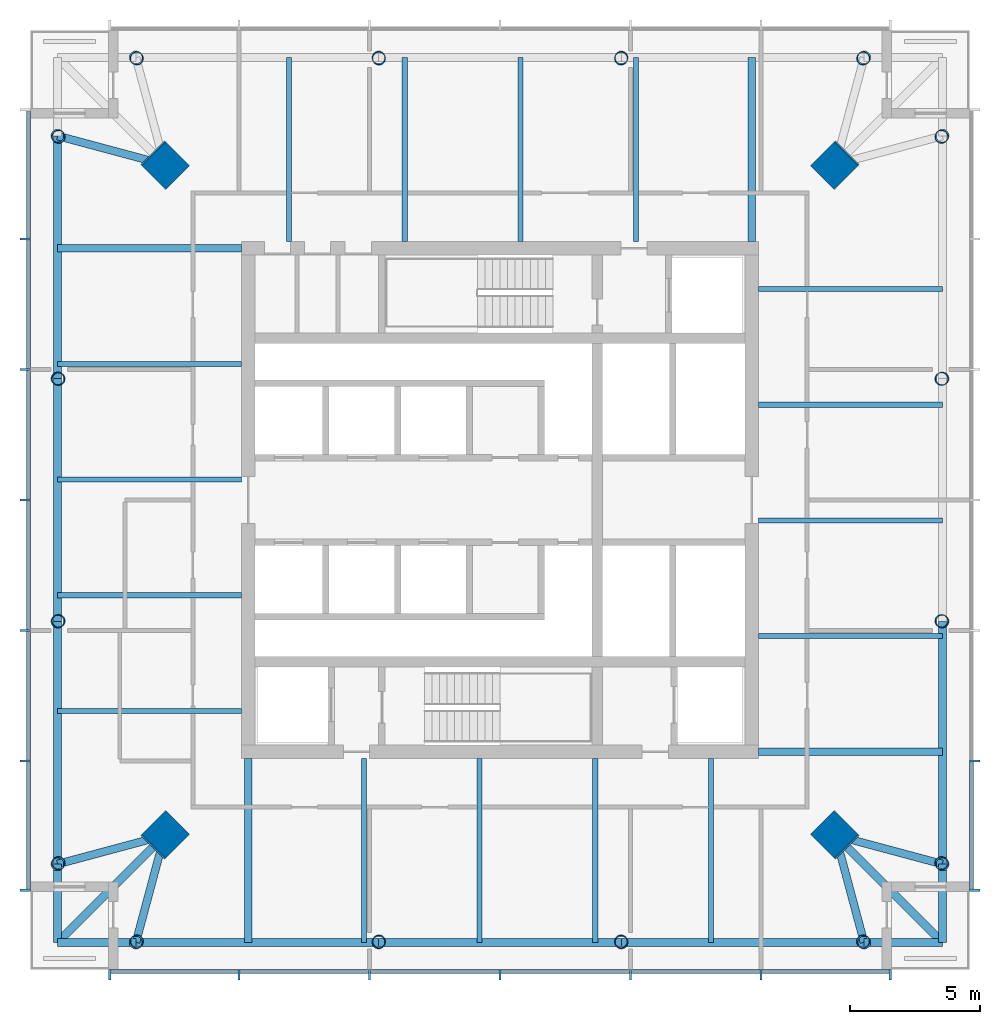
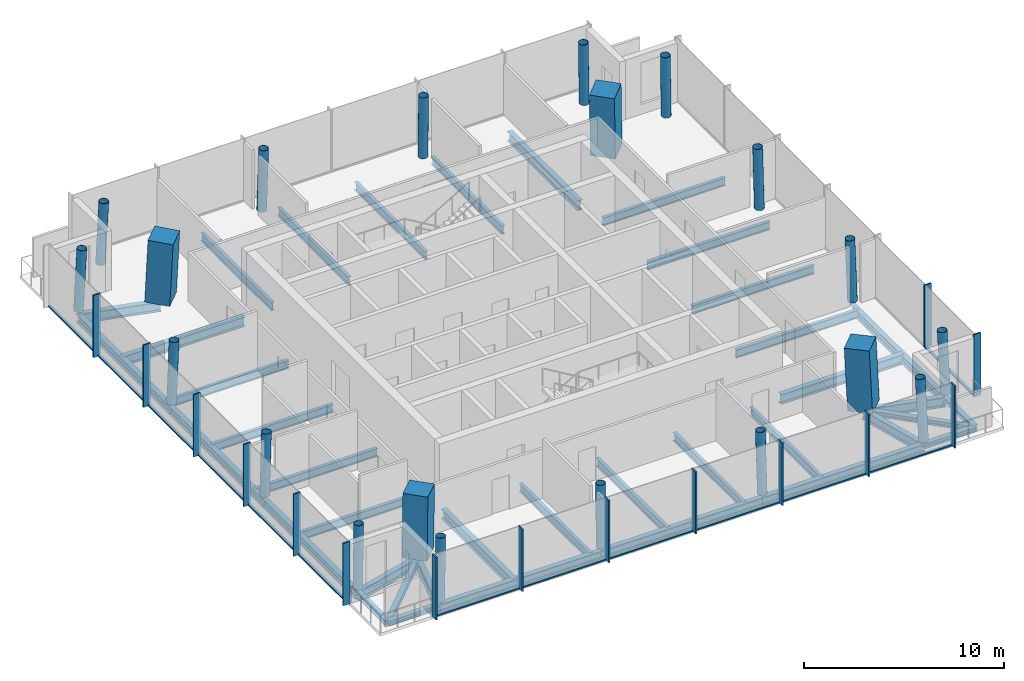
# One storey, part 1 of 7: 38 beams, 28 members, 20 columns, 3 elements without a shape of their own.
"""IFC4 building model written with IfcOpenShell, lengths in metres."""

from ifc_helpers import new_model, si_unit, direction, frame, origin, origin_2d, place, context, subcontext, project, spatial, rectangle, hollow_circle, i_section, extrude, material, material_profile, profile_set, type_object, element, aggregate, save


model = new_model("IFC4")

# Units and contexts
model_context = context("Model", 3, precision=1e-05, world=origin(), true_north=direction((0.0, 1.0)))
body_context = subcontext(model_context, "Body", "Model", "MODEL_VIEW")
ifc_project = project(units=[si_unit("LENGTHUNIT", "METRE"), si_unit("AREAUNIT", "SQUARE_METRE"), si_unit("VOLUMEUNIT", "CUBIC_METRE"), si_unit("PLANEANGLEUNIT", "RADIAN"), si_unit("MASSUNIT", "GRAM", prefix="KILO")], contexts=[model_context])

# Site, building, storey
site_placement = place(None, origin())
site = spatial("IfcSite", under=ifc_project, at=site_placement, CompositionType="ELEMENT")
building_placement = place(site_placement, origin())
building = spatial("IfcBuilding", under=site, at=building_placement, Name="Ostroluk Exchange", CompositionType="ELEMENT")
storey_placement = place(building_placement, frame((0.0, 0.0, 241.39990234375)))
storey = spatial("IfcBuildingStorey", under=building, at=storey_placement, Name="L62", CompositionType="ELEMENT", Elevation=241.39990234375)

# Columns
ifc_material_1 = material(Name="Concrete C50/60", Category="concrete")
ifc_material_profile_1 = material_profile(ifc_material_1, rectangle(XDim=1.300048828125, YDim=1.300048828125, at=origin_2d()), Name="RC 1300x1300")
ifc_profile_set_1 = profile_set([ifc_material_profile_1], Name="Concrete C50/60")
column_type_1 = type_object("IfcColumnType", Name="Mega column RC 1300x1300", PredefinedType="COLUMN", material=ifc_profile_set_1)
for number, where, z_axis, x_axis, name in (
    (1, (57.857177734375, 58.857177734375, 0.0), (-0.031962158256, -0.031962158256, 0.998977898093), (0.707106781187, -0.707106781187, 0.0), "T1 mega column NE"),
    (2, (32.142822265625, 58.857177734375, 0.0), (0.031962158256, -0.031962158256, 0.998977898093), (0.707106781187, 0.707106781187, 0.0), "T1 mega column NW"),
    (3, (32.142822265625, 33.142822265625, 0.0), (0.031962158256, 0.031962158256, 0.998977898093), (-0.707106781187, 0.707106781187, 0.0), "T1 mega column SW"),
    (4, (57.857177734375, 33.142822265625, 0.0), (-0.031962158256, 0.031962158256, 0.998977898093), (-0.707106781187, -0.707106781187, 0.0), "T1 mega column SE"),
):
    element("IfcColumn", number, at=place(storey_placement, frame(where, z_axis=z_axis, x_axis=x_axis)), inside=storey, type_object=column_type_1, Name=name, PredefinedType="COLUMN", context=body_context, shape_type="SweptSolid", body=[
        extrude(rectangle(XDim=1.300048828125, YDim=1.300048828125, at=origin_2d()), origin(), (0.0, 0.0, 1.0), 3.803955078125),
    ])
ifc_material_2 = material(Name="Steel S460", Category="steel")
ifc_material_profile_2 = material_profile(ifc_material_2, hollow_circle(Radius=0.25390625, WallThickness=0.02001953125, at=origin_2d()), Name="CHS 508x20")
ifc_profile_set_2 = profile_set([ifc_material_profile_2], Name="Steel S460")
column_type_2 = type_object("IfcColumnType", Name="Perimeter column CHS 508x20", PredefinedType="COLUMN", material=ifc_profile_set_2)
for number, where, z_axis, x_axis, name in (
    (5, (61.95703125, 32.04296875, 0.0), (-0.031898107953, 0.031898107953, 0.998981992539), (-0.707106781187, -0.707106781187, 0.0), "T1 east face column E0"),
    (6, (61.95703125, 59.95703125, 0.0), (-0.031898107953, -0.031898107953, 0.998981992539), (0.707106781187, -0.707106781187, 0.0), "T1 east face column E1"),
):
    element("IfcColumn", number, at=place(storey_placement, frame(where, z_axis=z_axis, x_axis=x_axis)), inside=storey, type_object=column_type_2, Name=name, PredefinedType="COLUMN", context=body_context, shape_type="SweptSolid", body=[
        extrude(hollow_circle(Radius=0.25390625, WallThickness=0.02001953125, at=origin_2d()), origin(), (0.0, 0.0, 1.0), 3.803955078125),
    ])
for number, where, z_axis, x_axis, name in (
    (7, (61.95703125, 41.34765625, 0.0), (-0.031912535354, 0.010658915229, 0.999433828532), (-0.316800238982, -0.948492281772, 0.0), "T1 east face column I1"),
    (8, (61.95703125, 50.65234375, 0.0), (-0.031912535354, -0.010658915229, 0.999433828532), (0.316800238982, -0.948492281772, 0.0), "T1 east face column I2"),
):
    element("IfcColumn", number, at=place(storey_placement, frame(where, z_axis=z_axis, x_axis=x_axis)), inside=storey, type_object=column_type_2, Name=name, PredefinedType="COLUMN", context=body_context, shape_type="SweptSolid", body=[
        extrude(hollow_circle(Radius=0.25390625, WallThickness=0.02001953125, at=origin_2d()), origin(), (0.0, 0.0, 1.0), 3.80224609375),
    ])
for number, where, z_axis, x_axis, name in (
    (9, (58.95703125, 62.95703125, 0.0), (-0.031898107953, -0.031898107953, 0.998981992539), (0.707106781187, -0.707106781187, 0.0), "T1 north face column E0"),
    (10, (31.04296875, 62.95703125, 0.0), (0.031898107953, -0.031898107953, 0.998981992539), (0.707106781187, 0.707106781187, 0.0), "T1 north face column E1"),
):
    element("IfcColumn", number, at=place(storey_placement, frame(where, z_axis=z_axis, x_axis=x_axis)), inside=storey, type_object=column_type_2, Name=name, PredefinedType="COLUMN", context=body_context, shape_type="SweptSolid", body=[
        extrude(hollow_circle(Radius=0.25390625, WallThickness=0.02001953125, at=origin_2d()), origin(), (0.0, 0.0, 1.0), 3.803955078125),
    ])
for number, where, z_axis, x_axis, name in (
    (11, (49.65234375, 62.95703125, 0.0), (-0.010658915229, -0.031912535354, 0.999433828532), (0.948492281772, -0.316800238982, 0.0), "T1 north face column I1"),
    (12, (40.34765625, 62.95703125, 0.0), (0.010658915229, -0.031912535354, 0.999433828532), (0.948492281772, 0.316800238982, 0.0), "T1 north face column I2"),
):
    element("IfcColumn", number, at=place(storey_placement, frame(where, z_axis=z_axis, x_axis=x_axis)), inside=storey, type_object=column_type_2, Name=name, PredefinedType="COLUMN", context=body_context, shape_type="SweptSolid", body=[
        extrude(hollow_circle(Radius=0.25390625, WallThickness=0.02001953125, at=origin_2d()), origin(), (0.0, 0.0, 1.0), 3.80224609375),
    ])
for number, where, z_axis, x_axis, name in (
    (13, (28.04296875, 59.95703125, 0.0), (0.031898107953, -0.031898107953, 0.998981992539), (0.707106781187, 0.707106781187, 0.0), "T1 west face column E0"),
    (14, (28.04296875, 32.04296875, 0.0), (0.031898107953, 0.031898107953, 0.998981992539), (-0.707106781187, 0.707106781187, 0.0), "T1 west face column E1"),
):
    element("IfcColumn", number, at=place(storey_placement, frame(where, z_axis=z_axis, x_axis=x_axis)), inside=storey, type_object=column_type_2, Name=name, PredefinedType="COLUMN", context=body_context, shape_type="SweptSolid", body=[
        extrude(hollow_circle(Radius=0.25390625, WallThickness=0.02001953125, at=origin_2d()), origin(), (0.0, 0.0, 1.0), 3.803955078125),
    ])
for number, where, z_axis, x_axis, name in (
    (15, (28.04296875, 50.65234375, 0.0), (0.031912535354, -0.010658915229, 0.999433828532), (0.316800238982, 0.948492281772, 0.0), "T1 west face column I1"),
    (16, (28.04296875, 41.34765625, 0.0), (0.031912535354, 0.010658915229, 0.999433828532), (-0.316800238982, 0.948492281772, 0.0), "T1 west face column I2"),
):
    element("IfcColumn", number, at=place(storey_placement, frame(where, z_axis=z_axis, x_axis=x_axis)), inside=storey, type_object=column_type_2, Name=name, PredefinedType="COLUMN", context=body_context, shape_type="SweptSolid", body=[
        extrude(hollow_circle(Radius=0.25390625, WallThickness=0.02001953125, at=origin_2d()), origin(), (0.0, 0.0, 1.0), 3.80224609375),
    ])
for number, where, z_axis, x_axis, name in (
    (17, (31.04296875, 29.04296875, 0.0), (0.031898107953, 0.031898107953, 0.998981992539), (-0.707106781187, 0.707106781187, 0.0), "T1 south face column E0"),
    (18, (58.95703125, 29.04296875, 0.0), (-0.031898107953, 0.031898107953, 0.998981992539), (-0.707106781187, -0.707106781187, 0.0), "T1 south face column E1"),
):
    element("IfcColumn", number, at=place(storey_placement, frame(where, z_axis=z_axis, x_axis=x_axis)), inside=storey, type_object=column_type_2, Name=name, PredefinedType="COLUMN", context=body_context, shape_type="SweptSolid", body=[
        extrude(hollow_circle(Radius=0.25390625, WallThickness=0.02001953125, at=origin_2d()), origin(), (0.0, 0.0, 1.0), 3.803955078125),
    ])
for number, where, z_axis, x_axis, name in (
    (19, (40.34765625, 29.04296875, 0.0), (0.010658915229, 0.031912535354, 0.999433828532), (-0.948492281772, 0.316800238982, 0.0), "T1 south face column I1"),
    (20, (49.65234375, 29.04296875, 0.0), (-0.010658915229, 0.031912535354, 0.999433828532), (-0.948492281772, -0.316800238982, 0.0), "T1 south face column I2"),
):
    element("IfcColumn", number, at=place(storey_placement, frame(where, z_axis=z_axis, x_axis=x_axis)), inside=storey, type_object=column_type_2, Name=name, PredefinedType="COLUMN", context=body_context, shape_type="SweptSolid", body=[
        extrude(hollow_circle(Radius=0.25390625, WallThickness=0.02001953125, at=origin_2d()), origin(), (0.0, 0.0, 1.0), 3.80224609375),
    ])

# Beams
ifc_material_3 = material(Name="Steel S355", Category="steel")
ifc_material_profile_3 = material_profile(ifc_material_3, i_section(OverallWidth=0.300048828125, OverallDepth=0.300048828125, WebThickness=0.010986328125, FlangeThickness=0.01904296875, FilletRadius=0.027099609375, at=origin_2d()), Name="HEB 300")
ifc_profile_set_3 = profile_set([ifc_material_profile_3], Name="Steel S355")
beam_type_1 = type_object("IfcBeamType", Name="Balcony beam HEB 300", PredefinedType="BEAM", material=ifc_profile_set_3)
for number, where, z_axis, x_axis, name in (
    (21, (28.04296875, 32.04296875, -0.329833984375), (0.0, -1.0, 0.0), (1.0, 0.0, 0.0), "T1 west balcony beam a"),
    (22, (31.04296875, 29.04296875, -0.329833984375), (-1.0, 0.0, 0.0), (0.0, -1.0, 0.0), "T1 west balcony beam b"),
):
    element("IfcBeam", number, at=place(storey_placement, frame(where, z_axis=z_axis, x_axis=x_axis)), inside=storey, type_object=beam_type_1, Name=name, PredefinedType="BEAM", context=body_context, shape_type="SweptSolid", body=[
        extrude(i_section(OverallWidth=0.300048828125, OverallDepth=0.300048828125, WebThickness=0.010986328125, FlangeThickness=0.01904296875, FilletRadius=0.027099609375, at=origin_2d()), origin(), (0.0, 0.0, 1.0), 3.0),
    ])
beam_1_placement = place(storey_placement, frame((32.142822265625, 33.142822265625, -0.329833984375), z_axis=(-0.707106781187, -0.707106781187, 0.0), x_axis=(0.707106781187, -0.707106781187, 0.0)))
element("IfcBeam", 23, at=beam_1_placement, inside=storey, type_object=beam_type_1, Name="T1 west balcony beam c", PredefinedType="BEAM", context=body_context, shape_type="SweptSolid", body=[
    extrude(i_section(OverallWidth=0.300048828125, OverallDepth=0.300048828125, WebThickness=0.010986328125, FlangeThickness=0.01904296875, FilletRadius=0.027099609375, at=origin_2d()), origin(), (0.0, 0.0, 1.0), 5.798095703125),
])
for number, where, z_axis, x_axis, name in (
    (24, (58.95703125, 29.04296875, -0.329833984375), (1.0, 0.0, 0.0), (0.0, 1.0, 0.0), "T1 south balcony beam a"),
    (25, (61.95703125, 32.04296875, -0.329833984375), (0.0, -1.0, 0.0), (1.0, 0.0, 0.0), "T1 south balcony beam b"),
):
    element("IfcBeam", number, at=place(storey_placement, frame(where, z_axis=z_axis, x_axis=x_axis)), inside=storey, type_object=beam_type_1, Name=name, PredefinedType="BEAM", context=body_context, shape_type="SweptSolid", body=[
        extrude(i_section(OverallWidth=0.300048828125, OverallDepth=0.300048828125, WebThickness=0.010986328125, FlangeThickness=0.01904296875, FilletRadius=0.027099609375, at=origin_2d()), origin(), (0.0, 0.0, 1.0), 3.0),
    ])
beam_2_placement = place(storey_placement, frame((57.857177734375, 33.142822265625, -0.329833984375), z_axis=(0.707106781187, -0.707106781187, 0.0), x_axis=(0.707106781187, 0.707106781187, 0.0)))
element("IfcBeam", 26, at=beam_2_placement, inside=storey, type_object=beam_type_1, Name="T1 south balcony beam c", PredefinedType="BEAM", context=body_context, shape_type="SweptSolid", body=[
    extrude(i_section(OverallWidth=0.300048828125, OverallDepth=0.300048828125, WebThickness=0.010986328125, FlangeThickness=0.01904296875, FilletRadius=0.027099609375, at=origin_2d()), origin(), (0.0, 0.0, 1.0), 5.798095703125),
])
ifc_material_4 = material(Name="Steel S355", Category="steel")
ifc_material_profile_4 = material_profile(ifc_material_4, i_section(OverallWidth=0.300048828125, OverallDepth=0.60009765625, WebThickness=0.015380859375, FlangeThickness=0.030029296875, FilletRadius=0.027099609375, at=origin_2d()), Name="HEB 600")
ifc_profile_set_4 = profile_set([ifc_material_profile_4], Name="Steel S355")
beam_type_2 = type_object("IfcBeamType", Name="Corner edge beam HEB 600", PredefinedType="SPANDREL", material=ifc_profile_set_4)
for number, where, z_axis, x_axis, name in (
    (27, (32.142822265625, 58.857177734375, -0.47998046875), (-0.965849156574, 0.259105011038, 0.0), (-0.259105011038, -0.965849156574, 0.0), "T1 north corner edge beam b"),
    (28, (32.142822265625, 33.142822265625, -0.47998046875), (-0.965849156574, -0.259105011038, 0.0), (0.259105011038, -0.965849156574, 0.0), "T1 west corner edge beam a"),
    (29, (32.142822265625, 33.142822265625, -0.47998046875), (-0.259105011038, -0.965849156574, 0.0), (0.965849156574, -0.259105011038, 0.0), "T1 west corner edge beam b"),
    (30, (57.857177734375, 33.142822265625, -0.47998046875), (0.259105011038, -0.965849156574, 0.0), (0.965849156574, 0.259105011038, 0.0), "T1 south corner edge beam a"),
    (31, (57.857177734375, 33.142822265625, -0.47998046875), (0.965849156574, -0.259105011038, 0.0), (0.259105011038, 0.965849156574, 0.0), "T1 south corner edge beam b"),
):
    element("IfcBeam", number, at=place(storey_placement, frame(where, z_axis=z_axis, x_axis=x_axis)), inside=storey, type_object=beam_type_2, Name=name, PredefinedType="SPANDREL", context=body_context, shape_type="SweptSolid", body=[
        extrude(i_section(OverallWidth=0.300048828125, OverallDepth=0.60009765625, WebThickness=0.015380859375, FlangeThickness=0.030029296875, FilletRadius=0.027099609375, at=origin_2d()), origin(), (0.0, 0.0, 1.0), 4.244873046875),
    ])
ifc_material_5 = material(Name="Steel S355", Category="steel")
ifc_material_profile_5 = material_profile(ifc_material_5, i_section(OverallWidth=0.199951171875, OverallDepth=0.5, WebThickness=0.01025390625, FlangeThickness=0.01611328125, FilletRadius=0.02099609375, at=origin_2d()), Name="IPE 500")
ifc_profile_set_5 = profile_set([ifc_material_profile_5], Name="Steel S355")
beam_type_3 = type_object("IfcBeamType", Name="Floor beam IPE 500", PredefinedType="BEAM", material=ifc_profile_set_5)
for number, where, z_axis, x_axis, name in (
    (32, (54.89990234375, 40.784423828125, -0.429931640625), (1.0, 0.0, 0.0), (0.0, 1.0, 0.0), "T1 east floor beam 1"),
    (33, (54.89990234375, 45.218994140625, -0.429931640625), (1.0, 0.0, 0.0), (0.0, 1.0, 0.0), "T1 east floor beam 2"),
    (34, (54.89990234375, 49.653564453125, -0.429931640625), (1.0, 0.0, 0.0), (0.0, 1.0, 0.0), "T1 east floor beam 3"),
    (35, (54.89990234375, 54.088134765625, -0.429931640625), (1.0, 0.0, 0.0), (0.0, 1.0, 0.0), "T1 east floor beam 4"),
    (36, (50.215576171875, 55.89990234375, -0.429931640625), (0.0, 1.0, 0.0), (-1.0, 0.0, 0.0), "T1 north floor beam 1"),
    (37, (45.781005859375, 55.89990234375, -0.429931640625), (0.0, 1.0, 0.0), (-1.0, 0.0, 0.0), "T1 north floor beam 2"),
    (38, (41.346435546875, 55.89990234375, -0.429931640625), (0.0, 1.0, 0.0), (-1.0, 0.0, 0.0), "T1 north floor beam 3"),
    (39, (36.911865234375, 55.89990234375, -0.429931640625), (0.0, 1.0, 0.0), (-1.0, 0.0, 0.0), "T1 north floor beam 4"),
    (40, (35.10009765625, 51.215576171875, -0.429931640625), (-1.0, 0.0, 0.0), (0.0, -1.0, 0.0), "T1 west floor beam 1"),
    (41, (35.10009765625, 46.781005859375, -0.429931640625), (-1.0, 0.0, 0.0), (0.0, -1.0, 0.0), "T1 west floor beam 2"),
    (42, (35.10009765625, 42.346435546875, -0.429931640625), (-1.0, 0.0, 0.0), (0.0, -1.0, 0.0), "T1 west floor beam 3"),
    (43, (35.10009765625, 37.911865234375, -0.429931640625), (-1.0, 0.0, 0.0), (0.0, -1.0, 0.0), "T1 west floor beam 4"),
    (44, (39.784423828125, 36.10009765625, -0.429931640625), (0.0, -1.0, 0.0), (1.0, 0.0, 0.0), "T1 south floor beam 1"),
    (45, (44.218994140625, 36.10009765625, -0.429931640625), (0.0, -1.0, 0.0), (1.0, 0.0, 0.0), "T1 south floor beam 2"),
    (46, (48.653564453125, 36.10009765625, -0.429931640625), (0.0, -1.0, 0.0), (1.0, 0.0, 0.0), "T1 south floor beam 3"),
    (47, (53.088134765625, 36.10009765625, -0.429931640625), (0.0, -1.0, 0.0), (1.0, 0.0, 0.0), "T1 south floor beam 4"),
):
    element("IfcBeam", number, at=place(storey_placement, frame(where, z_axis=z_axis, x_axis=x_axis)), inside=storey, type_object=beam_type_3, Name=name, PredefinedType="BEAM", context=body_context, shape_type="SweptSolid", body=[
        extrude(i_section(OverallWidth=0.199951171875, OverallDepth=0.5, WebThickness=0.01025390625, FlangeThickness=0.01611328125, FilletRadius=0.02099609375, at=origin_2d()), origin(), (0.0, 0.0, 1.0), 7.05712890625),
    ])
ifc_material_6 = material(Name="Steel S355", Category="steel")
ifc_material_profile_6 = material_profile(ifc_material_6, i_section(OverallWidth=0.300048828125, OverallDepth=0.60009765625, WebThickness=0.015380859375, FlangeThickness=0.030029296875, FilletRadius=0.027099609375, at=origin_2d()), Name="HEB 600")
ifc_profile_set_6 = profile_set([ifc_material_profile_6], Name="Steel S355")
beam_type_4 = type_object("IfcBeamType", Name="Girder HEB 600", PredefinedType="BEAM", material=ifc_profile_set_6)
for number, where, z_axis, x_axis, name in (
    (48, (54.64990234375, 55.89990234375, -0.47998046875), (0.0, 1.0, 0.0), (-1.0, 0.0, 0.0), "T1 east girder"),
    (49, (35.10009765625, 55.64990234375, -0.47998046875), (-1.0, 0.0, 0.0), (0.0, -1.0, 0.0), "T1 north girder"),
    (50, (35.35009765625, 36.10009765625, -0.47998046875), (0.0, -1.0, 0.0), (1.0, 0.0, 0.0), "T1 west girder"),
    (51, (54.89990234375, 36.35009765625, -0.47998046875), (1.0, 0.0, 0.0), (0.0, 1.0, 0.0), "T1 south girder"),
):
    element("IfcBeam", number, at=place(storey_placement, frame(where, z_axis=z_axis, x_axis=x_axis)), inside=storey, type_object=beam_type_4, Name=name, PredefinedType="BEAM", context=body_context, shape_type="SweptSolid", body=[
        extrude(i_section(OverallWidth=0.300048828125, OverallDepth=0.60009765625, WebThickness=0.015380859375, FlangeThickness=0.030029296875, FilletRadius=0.027099609375, at=origin_2d()), origin(), (0.0, 0.0, 1.0), 7.05712890625),
    ])
ifc_material_7 = material(Name="Steel S355", Category="steel")
ifc_material_profile_7 = material_profile(ifc_material_7, i_section(OverallWidth=0.300048828125, OverallDepth=0.5, WebThickness=0.014404296875, FlangeThickness=0.028076171875, FilletRadius=0.027099609375, at=origin_2d()), Name="HEB 500")
ifc_profile_set_7 = profile_set([ifc_material_profile_7], Name="Steel S355")
beam_type_5 = type_object("IfcBeamType", Name="Moment-connected edge beam HEB 500", PredefinedType="SPANDREL", material=ifc_profile_set_7)
for number, where, z_axis, x_axis, name in (
    (52, (61.95703125, 32.04296875, -0.429931640625), (0.0, 1.0, 0.0), (-1.0, 0.0, 0.0), "T1 east edge beam 1"),
    (53, (28.04296875, 59.95703125, -0.429931640625), (0.0, -1.0, 0.0), (1.0, 0.0, 0.0), "T1 west edge beam 1"),
    (54, (28.04296875, 50.65234375, -0.429931640625), (0.0, -1.0, 0.0), (1.0, 0.0, 0.0), "T1 west edge beam 2"),
    (55, (28.04296875, 41.34765625, -0.429931640625), (0.0, -1.0, 0.0), (1.0, 0.0, 0.0), "T1 west edge beam 3"),
    (56, (31.04296875, 29.04296875, -0.429931640625), (1.0, 0.0, 0.0), (0.0, 1.0, 0.0), "T1 south edge beam 1"),
    (57, (40.34765625, 29.04296875, -0.429931640625), (1.0, 0.0, 0.0), (0.0, 1.0, 0.0), "T1 south edge beam 2"),
    (58, (49.65234375, 29.04296875, -0.429931640625), (1.0, 0.0, 0.0), (0.0, 1.0, 0.0), "T1 south edge beam 3"),
):
    element("IfcBeam", number, at=place(storey_placement, frame(where, z_axis=z_axis, x_axis=x_axis)), inside=storey, type_object=beam_type_5, Name=name, PredefinedType="SPANDREL", context=body_context, shape_type="SweptSolid", body=[
        extrude(i_section(OverallWidth=0.300048828125, OverallDepth=0.5, WebThickness=0.014404296875, FlangeThickness=0.028076171875, FilletRadius=0.027099609375, at=origin_2d()), origin(), (0.0, 0.0, 1.0), 9.3046875),
    ])

# Curtain wall, members
ifc_material_8 = material(Name="Laminated clear glass", Category="glass")
curtain_wall_type = type_object("IfcCurtainWallType", Name="Office tower facade", PredefinedType="USERDEFINED", material=ifc_material_8)
curtain_wall_1_placement = place(storey_placement, origin())
curtain_wall_1 = element("IfcCurtainWall", 59, at=curtain_wall_1_placement, inside=storey, type_object=curtain_wall_type, Name="Office tower south facade L62", ObjectType="UNITISED CURTAIN WALL", PredefinedType="USERDEFINED")
ifc_material_9 = material(Name="Aluminium mullion", Category="aluminium")
ifc_material_profile_8 = material_profile(ifc_material_9, rectangle(XDim=0.14990234375, YDim=0.080078125, at=origin_2d()), Name="Sill transom 80 x 150")
ifc_profile_set_8 = profile_set([ifc_material_profile_8], Name="Aluminium mullion")
member_type_1 = type_object("IfcMemberType", Name="Sill transom 80 x 150", PredefinedType="USERDEFINED", material=ifc_profile_set_8)
member_1_placement = place(storey_placement, frame((30.080078125, 27.925048828125, 0.0400390625), z_axis=(1.0, 0.0, 0.0), x_axis=(0.0, 1.0, 0.0)))
member_1 = element("IfcMember", 60, at=member_1_placement, type_object=member_type_1, Name="CW-O1 transom 1.1", ObjectType="TRANSOM", PredefinedType="USERDEFINED", context=body_context, shape_type="SweptSolid", body=[
    extrude(rectangle(XDim=0.14990234375, YDim=0.080078125, at=origin_2d()), origin(), (0.0, 0.0, 1.0), 4.8798828125),
])
member_2_placement = place(storey_placement, frame((35.0400390625, 27.925048828125, 0.0400390625), z_axis=(1.0, 0.0, 0.0), x_axis=(0.0, 1.0, 0.0)))
member_2 = element("IfcMember", 61, at=member_2_placement, type_object=member_type_1, Name="CW-O1 transom 2.1", ObjectType="TRANSOM", PredefinedType="USERDEFINED", context=body_context, shape_type="SweptSolid", body=[
    extrude(rectangle(XDim=0.14990234375, YDim=0.080078125, at=origin_2d()), origin(), (0.0, 0.0, 1.0), 4.919921875),
])
member_3_placement = place(storey_placement, frame((40.0400390625, 27.925048828125, 0.0400390625), z_axis=(1.0, 0.0, 0.0), x_axis=(0.0, 1.0, 0.0)))
member_3 = element("IfcMember", 62, at=member_3_placement, type_object=member_type_1, Name="CW-O1 transom 3.1", ObjectType="TRANSOM", PredefinedType="USERDEFINED", context=body_context, shape_type="SweptSolid", body=[
    extrude(rectangle(XDim=0.14990234375, YDim=0.080078125, at=origin_2d()), origin(), (0.0, 0.0, 1.0), 4.919921875),
])
member_4_placement = place(storey_placement, frame((45.0400390625, 27.925048828125, 0.0400390625), z_axis=(1.0, 0.0, 0.0), x_axis=(0.0, 1.0, 0.0)))
member_4 = element("IfcMember", 63, at=member_4_placement, type_object=member_type_1, Name="CW-O1 transom 4.1", ObjectType="TRANSOM", PredefinedType="USERDEFINED", context=body_context, shape_type="SweptSolid", body=[
    extrude(rectangle(XDim=0.14990234375, YDim=0.080078125, at=origin_2d()), origin(), (0.0, 0.0, 1.0), 4.919921875),
])
member_5_placement = place(storey_placement, frame((50.0400390625, 27.925048828125, 0.0400390625), z_axis=(1.0, 0.0, 0.0), x_axis=(0.0, 1.0, 0.0)))
member_5 = element("IfcMember", 64, at=member_5_placement, type_object=member_type_1, Name="CW-O1 transom 5.1", ObjectType="TRANSOM", PredefinedType="USERDEFINED", context=body_context, shape_type="SweptSolid", body=[
    extrude(rectangle(XDim=0.14990234375, YDim=0.080078125, at=origin_2d()), origin(), (0.0, 0.0, 1.0), 4.919921875),
])
member_6_placement = place(storey_placement, frame((55.0400390625, 27.925048828125, 0.0400390625), z_axis=(1.0, 0.0, 0.0), x_axis=(0.0, 1.0, 0.0)))
member_6 = element("IfcMember", 65, at=member_6_placement, type_object=member_type_1, Name="CW-O1 transom 6.1", ObjectType="TRANSOM", PredefinedType="USERDEFINED", context=body_context, shape_type="SweptSolid", body=[
    extrude(rectangle(XDim=0.14990234375, YDim=0.080078125, at=origin_2d()), origin(), (0.0, 0.0, 1.0), 4.8798828125),
])

# Curtain wall, member
curtain_wall_2_placement = place(storey_placement, origin())
curtain_wall_2 = element("IfcCurtainWall", 66, at=curtain_wall_2_placement, inside=storey, type_object=curtain_wall_type, Name="Office tower east facade L62", ObjectType="UNITISED CURTAIN WALL", PredefinedType="USERDEFINED")
member_7_placement = place(storey_placement, frame((63.074951171875, 31.080078125, 0.0400390625), z_axis=(0.0, 1.0, 0.0), x_axis=(-1.0, 0.0, 0.0)))
member_7 = element("IfcMember", 67, at=member_7_placement, type_object=member_type_1, Name="CW-O1 transom 1.1", ObjectType="TRANSOM", PredefinedType="USERDEFINED", context=body_context, shape_type="SweptSolid", body=[
    extrude(rectangle(XDim=0.14990234375, YDim=0.080078125, at=origin_2d()), origin(), (0.0, 0.0, 1.0), 4.8798828125),
])

# Curtain wall, members
curtain_wall_3_placement = place(storey_placement, origin())
curtain_wall_3 = element("IfcCurtainWall", 68, at=curtain_wall_3_placement, inside=storey, type_object=curtain_wall_type, Name="Office tower west facade L62", ObjectType="UNITISED CURTAIN WALL", PredefinedType="USERDEFINED")
member_8_placement = place(storey_placement, frame((26.925048828125, 60.919921875, 0.0400390625), z_axis=(0.0, -1.0, 0.0), x_axis=(1.0, 0.0, 0.0)))
member_8 = element("IfcMember", 69, at=member_8_placement, type_object=member_type_1, Name="CW-O1 transom 1.1", ObjectType="TRANSOM", PredefinedType="USERDEFINED", context=body_context, shape_type="SweptSolid", body=[
    extrude(rectangle(XDim=0.14990234375, YDim=0.080078125, at=origin_2d()), origin(), (0.0, 0.0, 1.0), 4.8798828125),
])
member_9_placement = place(storey_placement, frame((26.925048828125, 55.9599609375, 0.0400390625), z_axis=(0.0, -1.0, 0.0), x_axis=(1.0, 0.0, 0.0)))
member_9 = element("IfcMember", 70, at=member_9_placement, type_object=member_type_1, Name="CW-O1 transom 2.1", ObjectType="TRANSOM", PredefinedType="USERDEFINED", context=body_context, shape_type="SweptSolid", body=[
    extrude(rectangle(XDim=0.14990234375, YDim=0.080078125, at=origin_2d()), origin(), (0.0, 0.0, 1.0), 4.919921875),
])
member_10_placement = place(storey_placement, frame((26.925048828125, 50.9599609375, 0.0400390625), z_axis=(0.0, -1.0, 0.0), x_axis=(1.0, 0.0, 0.0)))
member_10 = element("IfcMember", 71, at=member_10_placement, type_object=member_type_1, Name="CW-O1 transom 3.1", ObjectType="TRANSOM", PredefinedType="USERDEFINED", context=body_context, shape_type="SweptSolid", body=[
    extrude(rectangle(XDim=0.14990234375, YDim=0.080078125, at=origin_2d()), origin(), (0.0, 0.0, 1.0), 4.919921875),
])
member_11_placement = place(storey_placement, frame((26.925048828125, 45.9599609375, 0.0400390625), z_axis=(0.0, -1.0, 0.0), x_axis=(1.0, 0.0, 0.0)))
member_11 = element("IfcMember", 72, at=member_11_placement, type_object=member_type_1, Name="CW-O1 transom 4.1", ObjectType="TRANSOM", PredefinedType="USERDEFINED", context=body_context, shape_type="SweptSolid", body=[
    extrude(rectangle(XDim=0.14990234375, YDim=0.080078125, at=origin_2d()), origin(), (0.0, 0.0, 1.0), 4.919921875),
])
member_12_placement = place(storey_placement, frame((26.925048828125, 40.9599609375, 0.0400390625), z_axis=(0.0, -1.0, 0.0), x_axis=(1.0, 0.0, 0.0)))
member_12 = element("IfcMember", 73, at=member_12_placement, type_object=member_type_1, Name="CW-O1 transom 5.1", ObjectType="TRANSOM", PredefinedType="USERDEFINED", context=body_context, shape_type="SweptSolid", body=[
    extrude(rectangle(XDim=0.14990234375, YDim=0.080078125, at=origin_2d()), origin(), (0.0, 0.0, 1.0), 4.919921875),
])
member_13_placement = place(storey_placement, frame((26.925048828125, 35.9599609375, 0.0400390625), z_axis=(0.0, -1.0, 0.0), x_axis=(1.0, 0.0, 0.0)))
member_13 = element("IfcMember", 74, at=member_13_placement, type_object=member_type_1, Name="CW-O1 transom 6.1", ObjectType="TRANSOM", PredefinedType="USERDEFINED", context=body_context, shape_type="SweptSolid", body=[
    extrude(rectangle(XDim=0.14990234375, YDim=0.080078125, at=origin_2d()), origin(), (0.0, 0.0, 1.0), 4.8798828125),
])

# Member
ifc_material_10 = material(Name="Aluminium mullion with limestone facing", Category="masonry")
ifc_material_profile_9 = material_profile(ifc_material_10, rectangle(XDim=0.39990234375, YDim=0.080078125, at=origin_2d()), Name="Tracery mullion 80 x 400")
ifc_profile_set_9 = profile_set([ifc_material_profile_9], Name="Aluminium mullion with limestone facing")
member_type_2 = type_object("IfcMemberType", Name="Tracery mullion 80 x 400", PredefinedType="MULLION", material=ifc_profile_set_9)
member_14_placement = place(storey_placement, frame((30.0400390625, 27.800048828125, 0.0), z_axis=(0.0, 0.0, 1.0), x_axis=(0.0, 1.0, 0.0)))
member_14 = element("IfcMember", 75, at=member_14_placement, type_object=member_type_2, Name="CW-O1 mullion 1", PredefinedType="MULLION", context=body_context, shape_type="SweptSolid", body=[
    extrude(rectangle(XDim=0.39990234375, YDim=0.080078125, at=origin_2d()), origin(), (0.0, 0.0, 1.0), 3.800048828125),
])

member_15_placement = place(storey_placement, frame((35.0, 27.800048828125, 0.0), z_axis=(0.0, 0.0, 1.0), x_axis=(0.0, 1.0, 0.0)))
member_15 = element("IfcMember", 76, at=member_15_placement, type_object=member_type_2, Name="CW-O1 mullion 2", PredefinedType="MULLION", context=body_context, shape_type="SweptSolid", body=[
    extrude(rectangle(XDim=0.39990234375, YDim=0.080078125, at=origin_2d()), origin(), (0.0, 0.0, 1.0), 3.800048828125),
])

member_16_placement = place(storey_placement, frame((40.0, 27.800048828125, 0.0), z_axis=(0.0, 0.0, 1.0), x_axis=(0.0, 1.0, 0.0)))
member_16 = element("IfcMember", 77, at=member_16_placement, type_object=member_type_2, Name="CW-O1 mullion 3", PredefinedType="MULLION", context=body_context, shape_type="SweptSolid", body=[
    extrude(rectangle(XDim=0.39990234375, YDim=0.080078125, at=origin_2d()), origin(), (0.0, 0.0, 1.0), 3.800048828125),
])

member_17_placement = place(storey_placement, frame((45.0, 27.800048828125, 0.0), z_axis=(0.0, 0.0, 1.0), x_axis=(0.0, 1.0, 0.0)))
member_17 = element("IfcMember", 78, at=member_17_placement, type_object=member_type_2, Name="CW-O1 mullion 4", PredefinedType="MULLION", context=body_context, shape_type="SweptSolid", body=[
    extrude(rectangle(XDim=0.39990234375, YDim=0.080078125, at=origin_2d()), origin(), (0.0, 0.0, 1.0), 3.800048828125),
])

member_18_placement = place(storey_placement, frame((50.0, 27.800048828125, 0.0), z_axis=(0.0, 0.0, 1.0), x_axis=(0.0, 1.0, 0.0)))
member_18 = element("IfcMember", 79, at=member_18_placement, type_object=member_type_2, Name="CW-O1 mullion 5", PredefinedType="MULLION", context=body_context, shape_type="SweptSolid", body=[
    extrude(rectangle(XDim=0.39990234375, YDim=0.080078125, at=origin_2d()), origin(), (0.0, 0.0, 1.0), 3.800048828125),
])

member_19_placement = place(storey_placement, frame((55.0, 27.800048828125, 0.0), z_axis=(0.0, 0.0, 1.0), x_axis=(0.0, 1.0, 0.0)))
member_19 = element("IfcMember", 80, at=member_19_placement, type_object=member_type_2, Name="CW-O1 mullion 6", PredefinedType="MULLION", context=body_context, shape_type="SweptSolid", body=[
    extrude(rectangle(XDim=0.39990234375, YDim=0.080078125, at=origin_2d()), origin(), (0.0, 0.0, 1.0), 3.800048828125),
])

member_20_placement = place(storey_placement, frame((59.9599609375, 27.800048828125, 0.0), z_axis=(0.0, 0.0, 1.0), x_axis=(0.0, 1.0, 0.0)))
member_20 = element("IfcMember", 81, at=member_20_placement, type_object=member_type_2, Name="CW-O1 mullion 7", PredefinedType="MULLION", context=body_context, shape_type="SweptSolid", body=[
    extrude(rectangle(XDim=0.39990234375, YDim=0.080078125, at=origin_2d()), origin(), (0.0, 0.0, 1.0), 3.800048828125),
])

aggregate(curtain_wall_1, [member_14, member_15, member_16, member_17, member_18, member_19, member_20, member_1, member_2, member_3, member_4, member_5, member_6])

member_21_placement = place(storey_placement, frame((63.199951171875, 31.0400390625, 0.0), z_axis=(0.0, 0.0, 1.0), x_axis=(-1.0, 0.0, 0.0)))
member_21 = element("IfcMember", 82, at=member_21_placement, type_object=member_type_2, Name="CW-O1 mullion 1", PredefinedType="MULLION", context=body_context, shape_type="SweptSolid", body=[
    extrude(rectangle(XDim=0.39990234375, YDim=0.080078125, at=origin_2d()), origin(), (0.0, 0.0, 1.0), 3.800048828125),
])

member_22_placement = place(storey_placement, frame((63.199951171875, 36.0, 0.0), z_axis=(0.0, 0.0, 1.0), x_axis=(-1.0, 0.0, 0.0)))
member_22 = element("IfcMember", 83, at=member_22_placement, type_object=member_type_2, Name="CW-O1 mullion 2", PredefinedType="MULLION", context=body_context, shape_type="SweptSolid", body=[
    extrude(rectangle(XDim=0.39990234375, YDim=0.080078125, at=origin_2d()), origin(), (0.0, 0.0, 1.0), 3.800048828125),
])

aggregate(curtain_wall_2, [member_21, member_22, member_7])

member_23_placement = place(storey_placement, frame((26.800048828125, 56.0, 0.0), z_axis=(0.0, 0.0, 1.0), x_axis=(1.0, 0.0, 0.0)))
member_23 = element("IfcMember", 84, at=member_23_placement, type_object=member_type_2, Name="CW-O1 mullion 2", PredefinedType="MULLION", context=body_context, shape_type="SweptSolid", body=[
    extrude(rectangle(XDim=0.39990234375, YDim=0.080078125, at=origin_2d()), origin(), (0.0, 0.0, 1.0), 3.800048828125),
])

member_24_placement = place(storey_placement, frame((26.800048828125, 51.0, 0.0), z_axis=(0.0, 0.0, 1.0), x_axis=(1.0, 0.0, 0.0)))
member_24 = element("IfcMember", 85, at=member_24_placement, type_object=member_type_2, Name="CW-O1 mullion 3", PredefinedType="MULLION", context=body_context, shape_type="SweptSolid", body=[
    extrude(rectangle(XDim=0.39990234375, YDim=0.080078125, at=origin_2d()), origin(), (0.0, 0.0, 1.0), 3.800048828125),
])

member_25_placement = place(storey_placement, frame((26.800048828125, 46.0, 0.0), z_axis=(0.0, 0.0, 1.0), x_axis=(1.0, 0.0, 0.0)))
member_25 = element("IfcMember", 86, at=member_25_placement, type_object=member_type_2, Name="CW-O1 mullion 4", PredefinedType="MULLION", context=body_context, shape_type="SweptSolid", body=[
    extrude(rectangle(XDim=0.39990234375, YDim=0.080078125, at=origin_2d()), origin(), (0.0, 0.0, 1.0), 3.800048828125),
])

member_26_placement = place(storey_placement, frame((26.800048828125, 41.0, 0.0), z_axis=(0.0, 0.0, 1.0), x_axis=(1.0, 0.0, 0.0)))
member_26 = element("IfcMember", 87, at=member_26_placement, type_object=member_type_2, Name="CW-O1 mullion 5", PredefinedType="MULLION", context=body_context, shape_type="SweptSolid", body=[
    extrude(rectangle(XDim=0.39990234375, YDim=0.080078125, at=origin_2d()), origin(), (0.0, 0.0, 1.0), 3.800048828125),
])

member_27_placement = place(storey_placement, frame((26.800048828125, 36.0, 0.0), z_axis=(0.0, 0.0, 1.0), x_axis=(1.0, 0.0, 0.0)))
member_27 = element("IfcMember", 88, at=member_27_placement, type_object=member_type_2, Name="CW-O1 mullion 6", PredefinedType="MULLION", context=body_context, shape_type="SweptSolid", body=[
    extrude(rectangle(XDim=0.39990234375, YDim=0.080078125, at=origin_2d()), origin(), (0.0, 0.0, 1.0), 3.800048828125),
])

member_28_placement = place(storey_placement, frame((26.800048828125, 31.0400390625, 0.0), z_axis=(0.0, 0.0, 1.0), x_axis=(1.0, 0.0, 0.0)))
member_28 = element("IfcMember", 89, at=member_28_placement, type_object=member_type_2, Name="CW-O1 mullion 7", PredefinedType="MULLION", context=body_context, shape_type="SweptSolid", body=[
    extrude(rectangle(XDim=0.39990234375, YDim=0.080078125, at=origin_2d()), origin(), (0.0, 0.0, 1.0), 3.800048828125),
])

aggregate(curtain_wall_3, [member_23, member_24, member_25, member_26, member_27, member_28, member_8, member_9, member_10, member_11, member_12, member_13])

save(model, "model.ifc")
